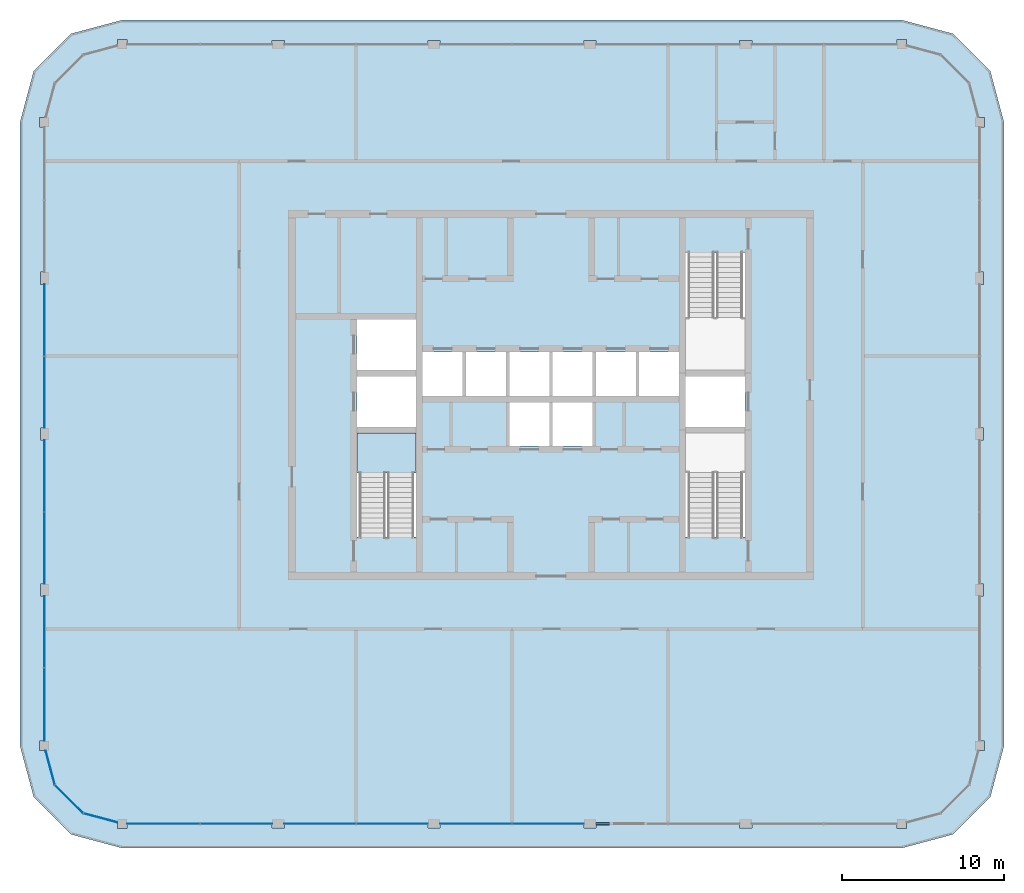
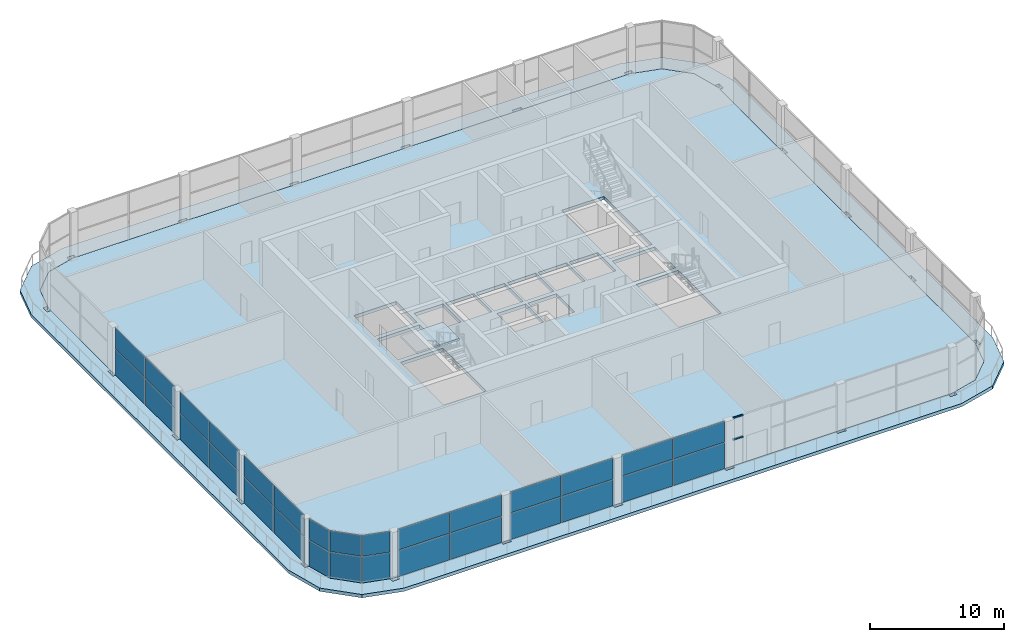
# One storey, part 7 of 15: 30 plates, 3 slabs, 2 members, 9 elements without a shape of their own.
"""IFC4 building model written with IfcOpenShell, lengths in metres."""

from ifc_helpers import new_model, si_unit, direction, frame, origin, origin_2d, place, context, subcontext, project, spatial, polyline, rectangle, outline, extrude, material, layer, layer_set, material_profile, profile_set, type_object, element, aggregate, save


model = new_model("IFC4")

# Units and contexts
model_context = context("Model", 3, precision=1e-05, world=origin(), true_north=direction((0.0, 1.0)))
body_context = subcontext(model_context, "Body", "Model", "MODEL_VIEW")
ifc_project = project(units=[si_unit("LENGTHUNIT", "METRE"), si_unit("AREAUNIT", "SQUARE_METRE"), si_unit("VOLUMEUNIT", "CUBIC_METRE"), si_unit("PLANEANGLEUNIT", "RADIAN"), si_unit("MASSUNIT", "GRAM", prefix="KILO")], contexts=[model_context])

# Site, building, storey
site_placement = place(None, origin())
site = spatial("IfcSite", under=ifc_project, at=site_placement, CompositionType="ELEMENT")
building_placement = place(site_placement, origin())
building = spatial("IfcBuilding", under=site, at=building_placement, Name="Madar Terraces", CompositionType="ELEMENT")
storey_placement = place(building_placement, frame((0.0, 0.0, 291.5)))
storey = spatial("IfcBuildingStorey", under=building, at=storey_placement, Name="L76", CompositionType="ELEMENT", Elevation=291.5)

# Curtain wall, members
ifc_material_1 = material(Name="Glass, clear low-iron, with black aluminium frame", Category="aluminium")
ifc_layer_1 = layer(ifc_material_1, 0.199951171875)
ifc_layer_set_1 = layer_set([ifc_layer_1], Name="Facade curtain wall, observation glazing")
curtain_wall_type = type_object("IfcCurtainWallType", Name="Facade curtain wall, observation glazing", PredefinedType="NOTDEFINED", material=ifc_layer_set_1)
curtain_wall_1_placement = place(storey_placement, origin())
curtain_wall_1 = element("IfcCurtainWall", 1, at=curtain_wall_1_placement, inside=storey, type_object=curtain_wall_type, Name="Outer skin curtain wall south bay 4", PredefinedType="NOTDEFINED")
ifc_material_2 = material(Name="Aluminium, black anodised", Category="aluminium")
ifc_material_profile = material_profile(ifc_material_2, rectangle(XDim=0.1201171875, YDim=0.06005859375, at=origin_2d()), Name="Facade transom 60x120")
ifc_profile_set = profile_set([ifc_material_profile], Name="Aluminium, black anodised")
member_type = type_object("IfcMemberType", Name="Facade transom 60x120", PredefinedType="USERDEFINED", material=ifc_profile_set)
member_1_placement = place(storey_placement, frame((33.97509765625, 0.0, 4.3701171875), z_axis=(1.0, 0.0, 0.0), x_axis=(0.0, 1.0, 0.0)))
member_1 = element("IfcMember", 2, at=member_1_placement, type_object=member_type, Name="Transom 1", ObjectType="TRANSOM", PredefinedType="USERDEFINED", context=body_context, shape_type="SweptSolid", body=[
    extrude(rectangle(XDim=0.1201171875, YDim=0.06005859375, at=origin_2d()), origin(), (0.0, 0.0, 1.0), 0.824951171875),
])
member_2_placement = place(storey_placement, frame((33.97509765625, 0.0, 2.39990234375), z_axis=(1.0, 0.0, 0.0), x_axis=(0.0, 1.0, 0.0)))
member_2 = element("IfcMember", 3, at=member_2_placement, type_object=member_type, Name="Transom 2", ObjectType="TRANSOM", PredefinedType="USERDEFINED", context=body_context, shape_type="SweptSolid", body=[
    extrude(rectangle(XDim=0.1201171875, YDim=0.06005859375, at=origin_2d()), origin(), (0.0, 0.0, 1.0), 0.824951171875),
])
aggregate(curtain_wall_1, [member_1, member_2])

# Slabs
ifc_material_3 = material(Name="Concrete C50/60", Category="concrete")
ifc_layer_2 = layer(ifc_material_3, 0.300048828125)
ifc_layer_set_2 = layer_set([ifc_layer_2], Name="Balcony band 300")
slab_type_1 = type_object("IfcSlabType", Name="Balcony band 300", PredefinedType="FLOOR", material=ifc_layer_set_2)
slab_1_placement = place(storey_placement, frame((0.0, 0.0, -0.300048828125)))
element("IfcSlab", 4, at=slab_1_placement, inside=storey, type_object=slab_type_1, Name="Balcony band", PredefinedType="FLOOR", context=body_context, shape_type="SweptSolid", body=[
    extrude(outline(polyline([(4.800048828125, -1.5), (1.64990234375, -0.656005859375), (-0.656005859375, 1.64990234375), (-1.5, 4.800048828125), (-1.5, 43.199951171875), (-0.656005859375, 46.35009765625), (1.64990234375, 48.656005859375), (4.800048828125, 49.5), (52.800048828125, 49.5), (55.949951171875, 48.656005859375), (58.256103515625, 46.35009765625), (59.10009765625, 43.199951171875), (59.10009765625, 4.800048828125), (58.256103515625, 1.64990234375), (55.949951171875, -0.656005859375), (52.800048828125, -1.5), (4.800048828125, -1.5)]), holes=[polyline([(5.10009765625, -0.300048828125), (5.10009765625, 0.0), (14.02490234375, 0.0), (14.02490234375, -0.25), (14.77490234375, -0.25), (14.77490234375, 0.0), (23.625, 0.0), (23.625, -0.25), (24.375, -0.25), (24.375, 0.0), (33.22509765625, 0.0), (33.22509765625, -0.25), (33.97509765625, -0.25), (33.97509765625, 0.0), (42.824951171875, 0.0), (42.824951171875, -0.25), (43.574951171875, -0.25), (43.574951171875, 0.0), (52.5, 0.0), (52.5, -0.300048828125), (53.10009765625, -0.300048828125), (53.10009765625, 0.080322265625), (55.199951171875, 0.64306640625), (56.956787109375, 2.39990234375), (57.51953125, 4.5), (57.89990234375, 4.5), (57.89990234375, 5.10009765625), (57.60009765625, 5.10009765625), (57.60009765625, 14.02490234375), (57.85009765625, 14.02490234375), (57.85009765625, 14.77490234375), (57.60009765625, 14.77490234375), (57.60009765625, 23.625), (57.85009765625, 23.625), (57.85009765625, 24.375), (57.60009765625, 24.375), (57.60009765625, 33.22509765625), (57.85009765625, 33.22509765625), (57.85009765625, 33.97509765625), (57.60009765625, 33.97509765625), (57.60009765625, 42.89990234375), (57.89990234375, 42.89990234375), (57.89990234375, 43.5), (57.51953125, 43.5), (56.956787109375, 45.60009765625), (55.199951171875, 47.35693359375), (53.10009765625, 47.919677734375), (53.10009765625, 48.300048828125), (52.5, 48.300048828125), (52.5, 48.0), (43.574951171875, 48.0), (43.574951171875, 48.25), (42.824951171875, 48.25), (42.824951171875, 48.0), (33.97509765625, 48.0), (33.97509765625, 48.25), (33.22509765625, 48.25), (33.22509765625, 48.0), (24.375, 48.0), (24.375, 48.25), (23.625, 48.25), (23.625, 48.0), (14.77490234375, 48.0), (14.77490234375, 48.25), (14.02490234375, 48.25), (14.02490234375, 48.0), (5.10009765625, 48.0), (5.10009765625, 48.300048828125), (4.5, 48.300048828125), (4.5, 47.919677734375), (2.39990234375, 47.35693359375), (0.64306640625, 45.60009765625), (0.080322265625, 43.5), (-0.300048828125, 43.5), (-0.300048828125, 42.89990234375), (0.0, 42.89990234375), (0.0, 33.97509765625), (-0.25, 33.97509765625), (-0.25, 33.22509765625), (0.0, 33.22509765625), (0.0, 24.375), (-0.25, 24.375), (-0.25, 23.625), (0.0, 23.625), (0.0, 14.77490234375), (-0.25, 14.77490234375), (-0.25, 14.02490234375), (0.0, 14.02490234375), (0.0, 5.10009765625), (-0.300048828125, 5.10009765625), (-0.300048828125, 4.5), (0.080322265625, 4.5), (0.64306640625, 2.39990234375), (2.39990234375, 0.64306640625), (4.5, 0.080322265625), (4.5, -0.300048828125), (5.10009765625, -0.300048828125)])]), origin(), (0.0, 0.0, 1.0), 0.300048828125),
])
ifc_material_4 = material(Name="Concrete C50/60", Category="concrete")
ifc_layer_3 = layer(ifc_material_4, 0.300048828125)
ifc_layer_set_3 = layer_set([ifc_layer_3], Name="FS2 PT flat slab 300")
slab_type_2 = type_object("IfcSlabType", Name="FS2 PT flat slab 300", PredefinedType="FLOOR", material=ifc_layer_set_3)
slab_2_placement = place(storey_placement, frame((0.0, 0.0, -0.300048828125)))
element("IfcSlab", 5, at=slab_2_placement, inside=storey, type_object=slab_type_2, Name="Floor slab L76 (1)", PredefinedType="FLOOR", context=body_context, shape_type="SweptSolid", body=[
    extrude(outline(polyline([(52.800048828125, 0.0), (55.199951171875, 0.64306640625), (56.95703125, 2.39990234375), (57.60009765625, 4.800048828125), (57.60009765625, 43.199951171875), (56.95703125, 45.60009765625), (55.199951171875, 47.35693359375), (52.800048828125, 48.0), (4.800048828125, 48.0), (2.39990234375, 47.35693359375), (0.64306640625, 45.60009765625), (0.0, 43.199951171875), (0.0, 4.800048828125), (0.64306640625, 2.39990234375), (2.39990234375, 0.64306640625), (4.800048828125, 0.0), (52.800048828125, 0.0)]), holes=[polyline([(22.89990234375, 17.64990234375), (19.25, 17.64990234375), (19.25, 24.050048828125), (22.89990234375, 24.050048828125), (22.89990234375, 17.64990234375)]), polyline([(28.63330078125, 23.25), (28.63330078125, 25.949951171875), (31.10009765625, 25.949951171875), (31.10009765625, 23.25), (28.63330078125, 23.25)]), polyline([(19.25, 24.449951171875), (19.25, 27.550048828125), (22.89990234375, 27.550048828125), (22.89990234375, 24.449951171875), (19.25, 24.449951171875)]), polyline([(23.300048828125, 26.35009765625), (23.300048828125, 29.050048828125), (25.7666015625, 29.050048828125), (25.7666015625, 26.35009765625), (23.300048828125, 26.35009765625)]), polyline([(25.966552734375, 26.35009765625), (25.966552734375, 29.050048828125), (28.433349609375, 29.050048828125), (28.433349609375, 26.35009765625), (25.966552734375, 26.35009765625)]), polyline([(28.63330078125, 26.35009765625), (28.63330078125, 29.050048828125), (31.10009765625, 29.050048828125), (31.10009765625, 26.35009765625), (28.63330078125, 26.35009765625)]), polyline([(19.25, 27.949951171875), (19.25, 31.050048828125), (22.89990234375, 31.050048828125), (22.89990234375, 27.949951171875), (19.25, 27.949951171875)]), polyline([(43.14990234375, 17.64990234375), (39.5, 17.64990234375), (39.5, 24.050048828125), (43.14990234375, 24.050048828125), (43.14990234375, 17.64990234375)]), polyline([(31.300048828125, 23.25), (31.300048828125, 25.949951171875), (33.7666015625, 25.949951171875), (33.7666015625, 23.25), (31.300048828125, 23.25)]), polyline([(39.5, 24.449951171875), (39.5, 27.550048828125), (43.14990234375, 27.550048828125), (43.14990234375, 24.449951171875), (39.5, 24.449951171875)]), polyline([(31.300048828125, 26.35009765625), (31.300048828125, 29.050048828125), (33.7666015625, 29.050048828125), (33.7666015625, 26.35009765625), (31.300048828125, 26.35009765625)]), polyline([(33.966552734375, 26.35009765625), (33.966552734375, 29.050048828125), (36.433349609375, 29.050048828125), (36.433349609375, 26.35009765625), (33.966552734375, 26.35009765625)]), polyline([(36.63330078125, 26.35009765625), (36.63330078125, 29.050048828125), (39.10009765625, 29.050048828125), (39.10009765625, 26.35009765625), (36.63330078125, 26.35009765625)]), polyline([(39.5, 27.949951171875), (39.5, 35.14990234375), (43.14990234375, 35.14990234375), (43.14990234375, 27.949951171875), (39.5, 27.949951171875)])]), origin(), (0.0, 0.0, 1.0), 0.300048828125),
])

# Curtain wall, plates
curtain_wall_2_placement = place(storey_placement, origin())
curtain_wall_2 = element("IfcCurtainWall", 6, at=curtain_wall_2_placement, inside=storey, type_object=curtain_wall_type, Name="Outer skin curtain wall south bay 1", PredefinedType="NOTDEFINED")
ifc_material_5 = material(Name="Glass, ceramic frit dark grey", Category="glass")
ifc_layer_4 = layer(ifc_material_5, 0.028076171875)
ifc_layer_set_4 = layer_set([ifc_layer_4], Name="Facade glass panel 28")
plate_type = type_object("IfcPlateType", Name="Facade glass panel 28", PredefinedType="CURTAIN_PANEL", material=ifc_layer_set_4)
plate_1_placement = place(storey_placement, frame((7.3349609375, 0.0, 0.0), z_axis=(0.0, 0.0, 1.0), x_axis=(1.0, 0.0, 0.0)))
plate_1 = element("IfcPlate", 7, at=plate_1_placement, type_object=plate_type, Name="Panel 1", PredefinedType="CURTAIN_PANEL", context=body_context, shape_type="SweptSolid", body=[
    extrude(rectangle(XDim=4.469970703125, YDim=0.028076171875, at=origin_2d()), origin(), (0.0, 0.0, 1.0), 2.3701171875),
])
plate_2_placement = place(storey_placement, frame((7.3349609375, 0.0, 2.43017578125), z_axis=(0.0, 0.0, 1.0), x_axis=(1.0, 0.0, 0.0)))
plate_2 = element("IfcPlate", 8, at=plate_2_placement, type_object=plate_type, Name="Panel 2", PredefinedType="CURTAIN_PANEL", context=body_context, shape_type="SweptSolid", body=[
    extrude(rectangle(XDim=4.469970703125, YDim=0.028076171875, at=origin_2d()), origin(), (0.0, 0.0, 1.0), 1.909912109375),
])
plate_3_placement = place(storey_placement, frame((11.827392578125, 0.0, 0.0), z_axis=(0.0, 0.0, 1.0), x_axis=(1.0, 0.0, 0.0)))
plate_3 = element("IfcPlate", 9, at=plate_3_placement, type_object=plate_type, Name="Panel 3", PredefinedType="CURTAIN_PANEL", context=body_context, shape_type="SweptSolid", body=[
    extrude(rectangle(XDim=4.39501953125, YDim=0.028076171875, at=origin_2d()), origin(), (0.0, 0.0, 1.0), 2.3701171875),
])
plate_4_placement = place(storey_placement, frame((11.827392578125, 0.0, 2.43017578125), z_axis=(0.0, 0.0, 1.0), x_axis=(1.0, 0.0, 0.0)))
plate_4 = element("IfcPlate", 10, at=plate_4_placement, type_object=plate_type, Name="Panel 4", PredefinedType="CURTAIN_PANEL", context=body_context, shape_type="SweptSolid", body=[
    extrude(rectangle(XDim=4.39501953125, YDim=0.028076171875, at=origin_2d()), origin(), (0.0, 0.0, 1.0), 1.909912109375),
])
aggregate(curtain_wall_2, [plate_1, plate_2, plate_3, plate_4])

curtain_wall_3_placement = place(storey_placement, origin())
curtain_wall_3 = element("IfcCurtainWall", 11, at=curtain_wall_3_placement, inside=storey, type_object=curtain_wall_type, Name="Outer skin curtain wall south bay 2", PredefinedType="NOTDEFINED")
plate_5_placement = place(storey_placement, frame((16.972412109375, 0.0, 0.0), z_axis=(0.0, 0.0, 1.0), x_axis=(1.0, 0.0, 0.0)))
plate_5 = element("IfcPlate", 12, at=plate_5_placement, type_object=plate_type, Name="Panel 1", PredefinedType="CURTAIN_PANEL", context=body_context, shape_type="SweptSolid", body=[
    extrude(rectangle(XDim=4.39501953125, YDim=0.028076171875, at=origin_2d()), origin(), (0.0, 0.0, 1.0), 2.3701171875),
])
plate_6_placement = place(storey_placement, frame((16.972412109375, 0.0, 2.43017578125), z_axis=(0.0, 0.0, 1.0), x_axis=(1.0, 0.0, 0.0)))
plate_6 = element("IfcPlate", 13, at=plate_6_placement, type_object=plate_type, Name="Panel 2", PredefinedType="CURTAIN_PANEL", context=body_context, shape_type="SweptSolid", body=[
    extrude(rectangle(XDim=4.39501953125, YDim=0.028076171875, at=origin_2d()), origin(), (0.0, 0.0, 1.0), 1.909912109375),
])
plate_7_placement = place(storey_placement, frame((21.427490234375, 0.0, 0.0), z_axis=(0.0, 0.0, 1.0), x_axis=(1.0, 0.0, 0.0)))
plate_7 = element("IfcPlate", 14, at=plate_7_placement, type_object=plate_type, Name="Panel 3", PredefinedType="CURTAIN_PANEL", context=body_context, shape_type="SweptSolid", body=[
    extrude(rectangle(XDim=4.39501953125, YDim=0.028076171875, at=origin_2d()), origin(), (0.0, 0.0, 1.0), 2.3701171875),
])
plate_8_placement = place(storey_placement, frame((21.427490234375, 0.0, 2.43017578125), z_axis=(0.0, 0.0, 1.0), x_axis=(1.0, 0.0, 0.0)))
plate_8 = element("IfcPlate", 15, at=plate_8_placement, type_object=plate_type, Name="Panel 4", PredefinedType="CURTAIN_PANEL", context=body_context, shape_type="SweptSolid", body=[
    extrude(rectangle(XDim=4.39501953125, YDim=0.028076171875, at=origin_2d()), origin(), (0.0, 0.0, 1.0), 1.909912109375),
])
aggregate(curtain_wall_3, [plate_5, plate_6, plate_7, plate_8])

curtain_wall_4_placement = place(storey_placement, origin())
curtain_wall_4 = element("IfcCurtainWall", 16, at=curtain_wall_4_placement, inside=storey, type_object=curtain_wall_type, Name="Outer skin curtain wall south bay 3", PredefinedType="NOTDEFINED")
plate_9_placement = place(storey_placement, frame((26.572509765625, 0.0, 0.0), z_axis=(0.0, 0.0, 1.0), x_axis=(1.0, 0.0, 0.0)))
plate_9 = element("IfcPlate", 17, at=plate_9_placement, type_object=plate_type, Name="Panel 1", PredefinedType="CURTAIN_PANEL", context=body_context, shape_type="SweptSolid", body=[
    extrude(rectangle(XDim=4.39501953125, YDim=0.028076171875, at=origin_2d()), origin(), (0.0, 0.0, 1.0), 2.3701171875),
])
plate_10_placement = place(storey_placement, frame((26.572509765625, 0.0, 2.43017578125), z_axis=(0.0, 0.0, 1.0), x_axis=(1.0, 0.0, 0.0)))
plate_10 = element("IfcPlate", 18, at=plate_10_placement, type_object=plate_type, Name="Panel 2", PredefinedType="CURTAIN_PANEL", context=body_context, shape_type="SweptSolid", body=[
    extrude(rectangle(XDim=4.39501953125, YDim=0.028076171875, at=origin_2d()), origin(), (0.0, 0.0, 1.0), 1.909912109375),
])
plate_11_placement = place(storey_placement, frame((31.027587890625, 0.0, 0.0), z_axis=(0.0, 0.0, 1.0), x_axis=(1.0, 0.0, 0.0)))
plate_11 = element("IfcPlate", 19, at=plate_11_placement, type_object=plate_type, Name="Panel 3", PredefinedType="CURTAIN_PANEL", context=body_context, shape_type="SweptSolid", body=[
    extrude(rectangle(XDim=4.39501953125, YDim=0.028076171875, at=origin_2d()), origin(), (0.0, 0.0, 1.0), 2.3701171875),
])
plate_12_placement = place(storey_placement, frame((31.027587890625, 0.0, 2.43017578125), z_axis=(0.0, 0.0, 1.0), x_axis=(1.0, 0.0, 0.0)))
plate_12 = element("IfcPlate", 20, at=plate_12_placement, type_object=plate_type, Name="Panel 4", PredefinedType="CURTAIN_PANEL", context=body_context, shape_type="SweptSolid", body=[
    extrude(rectangle(XDim=4.39501953125, YDim=0.028076171875, at=origin_2d()), origin(), (0.0, 0.0, 1.0), 1.909912109375),
])
aggregate(curtain_wall_4, [plate_9, plate_10, plate_11, plate_12])

curtain_wall_5_placement = place(storey_placement, origin())
curtain_wall_5 = element("IfcCurtainWall", 21, at=curtain_wall_5_placement, inside=storey, type_object=curtain_wall_type, Name="Outer skin curtain wall west bay 2", PredefinedType="NOTDEFINED")
plate_13_placement = place(storey_placement, frame((0.0, 31.027587890625, 0.0), z_axis=(0.0, 0.0, 1.0), x_axis=(0.0, -1.0, 0.0)))
plate_13 = element("IfcPlate", 22, at=plate_13_placement, type_object=plate_type, Name="Panel 1", PredefinedType="CURTAIN_PANEL", context=body_context, shape_type="SweptSolid", body=[
    extrude(rectangle(XDim=4.39501953125, YDim=0.028076171875, at=origin_2d()), origin(), (0.0, 0.0, 1.0), 2.3701171875),
])
plate_14_placement = place(storey_placement, frame((0.0, 31.027587890625, 2.43017578125), z_axis=(0.0, 0.0, 1.0), x_axis=(0.0, -1.0, 0.0)))
plate_14 = element("IfcPlate", 23, at=plate_14_placement, type_object=plate_type, Name="Panel 2", PredefinedType="CURTAIN_PANEL", context=body_context, shape_type="SweptSolid", body=[
    extrude(rectangle(XDim=4.39501953125, YDim=0.028076171875, at=origin_2d()), origin(), (0.0, 0.0, 1.0), 1.909912109375),
])
plate_15_placement = place(storey_placement, frame((0.0, 26.572509765625, 0.0), z_axis=(0.0, 0.0, 1.0), x_axis=(0.0, -1.0, 0.0)))
plate_15 = element("IfcPlate", 24, at=plate_15_placement, type_object=plate_type, Name="Panel 3", PredefinedType="CURTAIN_PANEL", context=body_context, shape_type="SweptSolid", body=[
    extrude(rectangle(XDim=4.39501953125, YDim=0.028076171875, at=origin_2d()), origin(), (0.0, 0.0, 1.0), 2.3701171875),
])
plate_16_placement = place(storey_placement, frame((0.0, 26.572509765625, 2.43017578125), z_axis=(0.0, 0.0, 1.0), x_axis=(0.0, -1.0, 0.0)))
plate_16 = element("IfcPlate", 25, at=plate_16_placement, type_object=plate_type, Name="Panel 4", PredefinedType="CURTAIN_PANEL", context=body_context, shape_type="SweptSolid", body=[
    extrude(rectangle(XDim=4.39501953125, YDim=0.028076171875, at=origin_2d()), origin(), (0.0, 0.0, 1.0), 1.909912109375),
])
aggregate(curtain_wall_5, [plate_13, plate_14, plate_15, plate_16])

curtain_wall_6_placement = place(storey_placement, origin())
curtain_wall_6 = element("IfcCurtainWall", 26, at=curtain_wall_6_placement, inside=storey, type_object=curtain_wall_type, Name="Outer skin curtain wall west bay 3", PredefinedType="NOTDEFINED")
plate_17_placement = place(storey_placement, frame((0.0, 21.427490234375, 0.0), z_axis=(0.0, 0.0, 1.0), x_axis=(0.0, -1.0, 0.0)))
plate_17 = element("IfcPlate", 27, at=plate_17_placement, type_object=plate_type, Name="Panel 1", PredefinedType="CURTAIN_PANEL", context=body_context, shape_type="SweptSolid", body=[
    extrude(rectangle(XDim=4.39501953125, YDim=0.028076171875, at=origin_2d()), origin(), (0.0, 0.0, 1.0), 2.3701171875),
])
plate_18_placement = place(storey_placement, frame((0.0, 21.427490234375, 2.43017578125), z_axis=(0.0, 0.0, 1.0), x_axis=(0.0, -1.0, 0.0)))
plate_18 = element("IfcPlate", 28, at=plate_18_placement, type_object=plate_type, Name="Panel 2", PredefinedType="CURTAIN_PANEL", context=body_context, shape_type="SweptSolid", body=[
    extrude(rectangle(XDim=4.39501953125, YDim=0.028076171875, at=origin_2d()), origin(), (0.0, 0.0, 1.0), 1.909912109375),
])
plate_19_placement = place(storey_placement, frame((0.0, 16.972412109375, 0.0), z_axis=(0.0, 0.0, 1.0), x_axis=(0.0, -1.0, 0.0)))
plate_19 = element("IfcPlate", 29, at=plate_19_placement, type_object=plate_type, Name="Panel 3", PredefinedType="CURTAIN_PANEL", context=body_context, shape_type="SweptSolid", body=[
    extrude(rectangle(XDim=4.39501953125, YDim=0.028076171875, at=origin_2d()), origin(), (0.0, 0.0, 1.0), 2.3701171875),
])
plate_20_placement = place(storey_placement, frame((0.0, 16.972412109375, 2.43017578125), z_axis=(0.0, 0.0, 1.0), x_axis=(0.0, -1.0, 0.0)))
plate_20 = element("IfcPlate", 30, at=plate_20_placement, type_object=plate_type, Name="Panel 4", PredefinedType="CURTAIN_PANEL", context=body_context, shape_type="SweptSolid", body=[
    extrude(rectangle(XDim=4.39501953125, YDim=0.028076171875, at=origin_2d()), origin(), (0.0, 0.0, 1.0), 1.909912109375),
])
aggregate(curtain_wall_6, [plate_17, plate_18, plate_19, plate_20])

curtain_wall_7_placement = place(storey_placement, origin())
curtain_wall_7 = element("IfcCurtainWall", 31, at=curtain_wall_7_placement, inside=storey, type_object=curtain_wall_type, Name="Outer skin curtain wall west bay 4", PredefinedType="NOTDEFINED")
plate_21_placement = place(storey_placement, frame((0.0, 11.827392578125, 0.0), z_axis=(0.0, 0.0, 1.0), x_axis=(0.0, -1.0, 0.0)))
plate_21 = element("IfcPlate", 32, at=plate_21_placement, type_object=plate_type, Name="Panel 1", PredefinedType="CURTAIN_PANEL", context=body_context, shape_type="SweptSolid", body=[
    extrude(rectangle(XDim=4.39501953125, YDim=0.028076171875, at=origin_2d()), origin(), (0.0, 0.0, 1.0), 2.3701171875),
])
plate_22_placement = place(storey_placement, frame((0.0, 11.827392578125, 2.43017578125), z_axis=(0.0, 0.0, 1.0), x_axis=(0.0, -1.0, 0.0)))
plate_22 = element("IfcPlate", 33, at=plate_22_placement, type_object=plate_type, Name="Panel 2", PredefinedType="CURTAIN_PANEL", context=body_context, shape_type="SweptSolid", body=[
    extrude(rectangle(XDim=4.39501953125, YDim=0.028076171875, at=origin_2d()), origin(), (0.0, 0.0, 1.0), 1.909912109375),
])
plate_23_placement = place(storey_placement, frame((0.0, 7.3349609375, 0.0), z_axis=(0.0, 0.0, 1.0), x_axis=(0.0, -1.0, 0.0)))
plate_23 = element("IfcPlate", 34, at=plate_23_placement, type_object=plate_type, Name="Panel 3", PredefinedType="CURTAIN_PANEL", context=body_context, shape_type="SweptSolid", body=[
    extrude(rectangle(XDim=4.469970703125, YDim=0.028076171875, at=origin_2d()), origin(), (0.0, 0.0, 1.0), 2.3701171875),
])
plate_24_placement = place(storey_placement, frame((0.0, 7.3349609375, 2.43017578125), z_axis=(0.0, 0.0, 1.0), x_axis=(0.0, -1.0, 0.0)))
plate_24 = element("IfcPlate", 35, at=plate_24_placement, type_object=plate_type, Name="Panel 4", PredefinedType="CURTAIN_PANEL", context=body_context, shape_type="SweptSolid", body=[
    extrude(rectangle(XDim=4.469970703125, YDim=0.028076171875, at=origin_2d()), origin(), (0.0, 0.0, 1.0), 1.909912109375),
])
aggregate(curtain_wall_7, [plate_21, plate_22, plate_23, plate_24])

curtain_wall_8_placement = place(storey_placement, origin())
curtain_wall_8 = element("IfcCurtainWall", 36, at=curtain_wall_8_placement, inside=storey, type_object=curtain_wall_type, Name="Outer skin curtain wall south-west corner", PredefinedType="NOTDEFINED")
plate_25_placement = place(storey_placement, frame((0.35791015625, 3.464599609375, 0.0), z_axis=(0.0, 0.0, 1.0), x_axis=(0.258819021888, -0.965925832509, 0.0)))
plate_25 = element("IfcPlate", 37, at=plate_25_placement, type_object=plate_type, Name="Panel 1", PredefinedType="CURTAIN_PANEL", context=body_context, shape_type="SweptSolid", body=[
    extrude(rectangle(XDim=2.14404296875, YDim=0.028076171875, at=origin_2d()), origin(), (0.0, 0.0, 1.0), 2.3701171875),
])
plate_26_placement = place(storey_placement, frame((0.35791015625, 3.464599609375, 2.43017578125), z_axis=(0.0, 0.0, 1.0), x_axis=(0.258819021888, -0.965925832509, 0.0)))
plate_26 = element("IfcPlate", 38, at=plate_26_placement, type_object=plate_type, Name="Panel 2", PredefinedType="CURTAIN_PANEL", context=body_context, shape_type="SweptSolid", body=[
    extrude(rectangle(XDim=2.14404296875, YDim=0.028076171875, at=origin_2d()), origin(), (0.0, 0.0, 1.0), 1.909912109375),
])
plate_27_placement = place(storey_placement, frame((1.521484375, 1.521484375, 0.0), z_axis=(0.0, 0.0, 1.0), x_axis=(0.707106781187, -0.707106781187, 0.0)))
plate_27 = element("IfcPlate", 39, at=plate_27_placement, type_object=plate_type, Name="Panel 3", PredefinedType="CURTAIN_PANEL", context=body_context, shape_type="SweptSolid", body=[
    extrude(rectangle(XDim=2.424560546875, YDim=0.028076171875, at=origin_2d()), origin(), (0.0, 0.0, 1.0), 2.3701171875),
])
plate_28_placement = place(storey_placement, frame((1.521484375, 1.521484375, 2.43017578125), z_axis=(0.0, 0.0, 1.0), x_axis=(0.707106781187, -0.707106781187, 0.0)))
plate_28 = element("IfcPlate", 40, at=plate_28_placement, type_object=plate_type, Name="Panel 4", PredefinedType="CURTAIN_PANEL", context=body_context, shape_type="SweptSolid", body=[
    extrude(rectangle(XDim=2.424560546875, YDim=0.028076171875, at=origin_2d()), origin(), (0.0, 0.0, 1.0), 1.909912109375),
])
plate_29_placement = place(storey_placement, frame((3.464599609375, 0.35791015625, 0.0), z_axis=(0.0, 0.0, 1.0), x_axis=(0.965925832509, -0.258819021888, 0.0)))
plate_29 = element("IfcPlate", 41, at=plate_29_placement, type_object=plate_type, Name="Panel 5", PredefinedType="CURTAIN_PANEL", context=body_context, shape_type="SweptSolid", body=[
    extrude(rectangle(XDim=2.14404296875, YDim=0.028076171875, at=origin_2d()), origin(), (0.0, 0.0, 1.0), 2.3701171875),
])
plate_30_placement = place(storey_placement, frame((3.464599609375, 0.35791015625, 2.43017578125), z_axis=(0.0, 0.0, 1.0), x_axis=(0.965925832509, -0.258819021888, 0.0)))
plate_30 = element("IfcPlate", 42, at=plate_30_placement, type_object=plate_type, Name="Panel 6", PredefinedType="CURTAIN_PANEL", context=body_context, shape_type="SweptSolid", body=[
    extrude(rectangle(XDim=2.14404296875, YDim=0.028076171875, at=origin_2d()), origin(), (0.0, 0.0, 1.0), 1.909912109375),
])
aggregate(curtain_wall_8, [plate_25, plate_26, plate_27, plate_28, plate_29, plate_30])

# Stair, slab
ifc_material_6 = material(Name="Concrete C50/60", Category="concrete")
stair_type = type_object("IfcStairType", Name="Stair ST1 protected exit", PredefinedType="HALF_TURN_STAIR", material=ifc_material_6)
stair_placement = place(storey_placement, origin())
stair = element("IfcStair", 43, at=stair_placement, inside=storey, type_object=stair_type, Name="L76 Protected Exit Stair ST1", PredefinedType="HALF_TURN_STAIR")
ifc_material_7 = material(Name="Concrete C50/60", Category="concrete")
ifc_layer_5 = layer(ifc_material_7, 0.199951171875)
ifc_layer_set_5 = layer_set([ifc_layer_5], Name="Stair landing 200, top +2.40")
slab_type_3 = type_object("IfcSlabType", Name="Stair landing 200, top +2.40", PredefinedType="LANDING", material=ifc_layer_set_5)
slab_3_placement = place(storey_placement, frame((0.0, 0.0, 2.199951171875)))
slab_3 = element("IfcSlab", 44, at=slab_3_placement, type_object=slab_type_3, Name="ST1 landing 1", PredefinedType="LANDING", context=body_context, shape_type="SweptSolid", body=[
    extrude(outline(polyline([(19.25, 21.60009765625), (22.89990234375, 21.60009765625), (22.89990234375, 24.050048828125), (19.25, 24.050048828125), (19.25, 21.60009765625)])), origin(), (0.0, 0.0, 1.0), 0.199951171875),
])
aggregate(stair, [slab_3])

save(model, "model.ifc")
